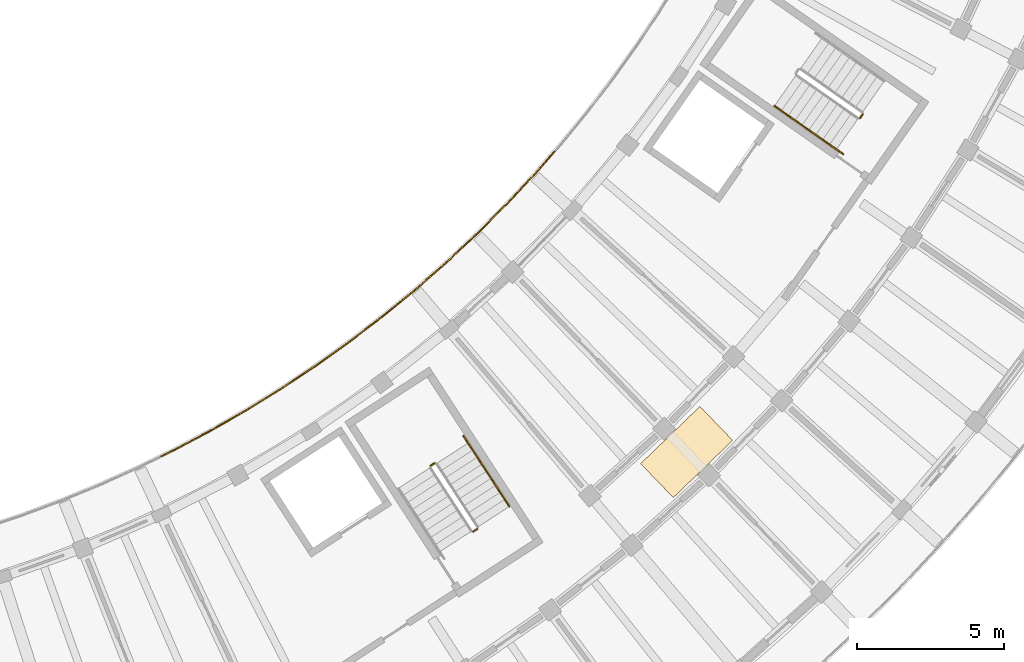
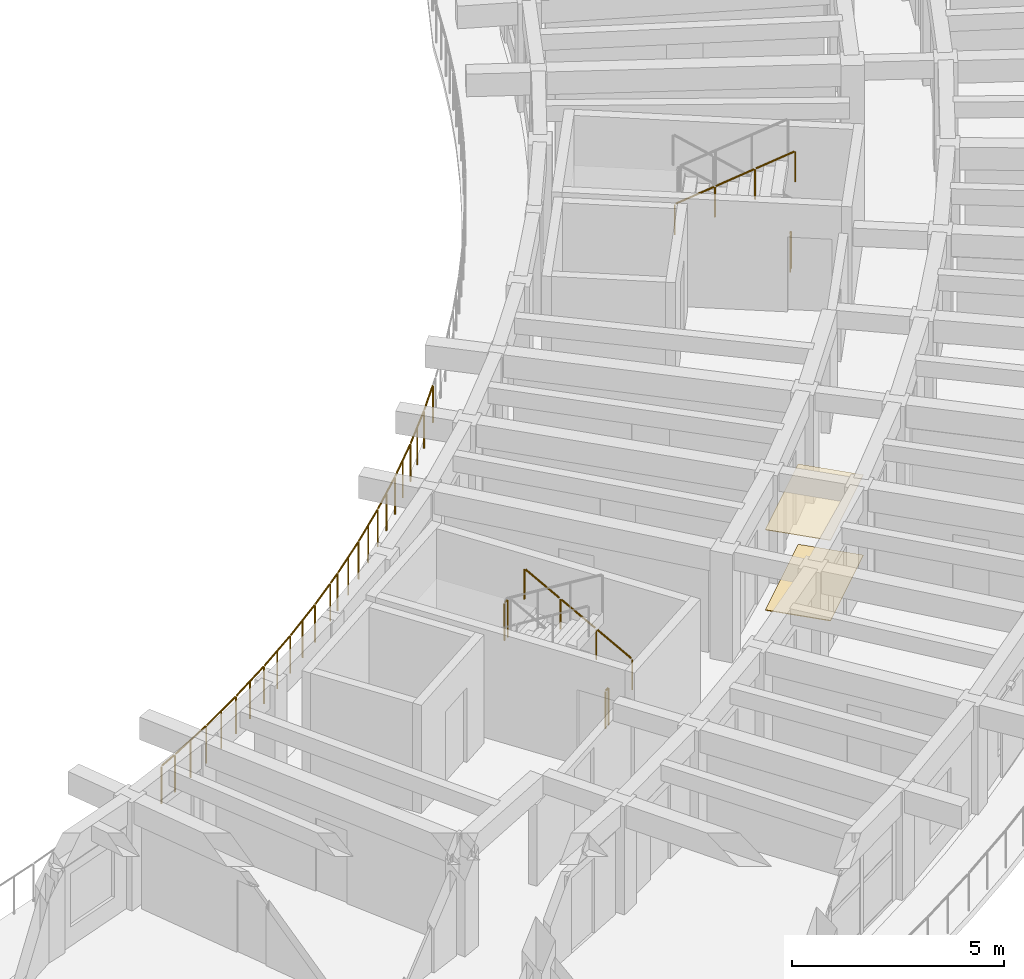
# One storey, part 72 of 78: 11 railings, 2 coverings.
"""IFC4 building model written with IfcOpenShell, lengths in metres."""

from ifc_helpers import new_model, si_unit, direction, frame, origin, origin_2d, place, context, subcontext, project, spatial, rectangle, circle, extrude, material, layer, layer_set, type_object, element, save


model = new_model("IFC4")

# Units and contexts
model_context = context("Model", 3, precision=1e-05, world=origin(), true_north=direction((0.0, 1.0)))
body_context = subcontext(model_context, "Body", "Model", "MODEL_VIEW")
ifc_project = project(units=[si_unit("LENGTHUNIT", "METRE"), si_unit("AREAUNIT", "SQUARE_METRE"), si_unit("VOLUMEUNIT", "CUBIC_METRE"), si_unit("PLANEANGLEUNIT", "RADIAN"), si_unit("MASSUNIT", "GRAM", prefix="KILO")], contexts=[model_context])

# Site, building, storey
site_placement = place(None, origin())
site = spatial("IfcSite", under=ifc_project, at=site_placement, CompositionType="ELEMENT")
building_placement = place(site_placement, origin())
building = spatial("IfcBuilding", under=site, at=building_placement, Name="Tanwirah Colonnade Gardens", CompositionType="ELEMENT")
storey_placement = place(building_placement, frame((0.0, 0.0, 22.280029296875)))
storey = spatial("IfcBuildingStorey", under=building, at=storey_placement, Name="L06", CompositionType="ELEMENT", Elevation=22.280029296875)

# Railings
ifc_material_1 = material(Name="Precast concrete C40/50", Category="concrete")
railing_type_1 = type_object("IfcRailingType", Name="BAL-EXT110", PredefinedType="BALUSTRADE", material=ifc_material_1)
railing_1_placement = place(storey_placement, frame((139.94775390625, 26.2626953125, 0.0)))
element("IfcRailing", 1, at=railing_1_placement, inside=storey, type_object=railing_type_1, Name="Block D L06 Balcony Ribbon Balustrade 2", PredefinedType="BALUSTRADE", context=body_context, shape_type="SweptSolid", body=[
    extrude(circle(Radius=0.02392578125, at=origin_2d()), frame((0.028076171875, 0.013916015625, 1.076171875), z_axis=(0.897327666249, 0.441364995648, 0.0), x_axis=(-0.441364995648, 0.897327666249, 0.0)), (0.0, 0.0, 1.0), 0.506103515625),
    extrude(circle(Radius=0.02392578125, at=origin_2d()), frame((0.540283203125, 0.266845703125, 1.076171875), z_axis=(0.88242081136, 0.470460956593, 0.0), x_axis=(-0.470460956593, 0.88242081136, 0.0)), (0.0, 0.0, 1.0), 1.331298828125),
    extrude(circle(Radius=0.02392578125, at=origin_2d()), frame((1.772216796875, 0.9248046875, 1.076171875), z_axis=(0.866535241782, 0.499115893104, 0.0), x_axis=(-0.499115893104, 0.866535241782, 0.0)), (0.0, 0.0, 1.0), 1.33154296875),
    extrude(circle(Radius=0.02392578125, at=origin_2d()), frame((2.98193359375, 1.622802734375, 1.076171875), z_axis=(0.849764617567, 0.527162303973, 0.0), x_axis=(-0.527162303973, 0.849764617567, 0.0)), (0.0, 0.0, 1.0), 1.33154296875),
    extrude(circle(Radius=0.02392578125, at=origin_2d()), frame((4.168212890625, 2.35986328125, 1.076171875), z_axis=(0.832077237554, 0.554659779274, 0.0), x_axis=(-0.554659779274, 0.832077237554, 0.0)), (0.0, 0.0, 1.0), 1.33154296875),
    extrude(circle(Radius=0.02392578125, at=origin_2d()), frame((5.32958984375, 3.13525390625, 1.076171875), z_axis=(0.813473063063, 0.581602592558, 0.0), x_axis=(-0.581602592558, 0.813473063063, 0.0)), (0.0, 0.0, 1.0), 1.33154296875),
    extrude(circle(Radius=0.02392578125, at=origin_2d()), frame((6.46533203125, 3.948486328125, 1.076171875), z_axis=(0.793947113326, 0.607986826536, 0.0), x_axis=(-0.607986826536, 0.793947113326, 0.0)), (0.0, 0.0, 1.0), 0.8828125),
    extrude(circle(Radius=0.02099609375, at=origin_2d()), origin(), (0.0, 0.0, 1.0), 1.049072265625),
    extrude(circle(Radius=0.02099609375, at=origin_2d()), frame((0.51025390625, 0.2509765625, 0.0)), (0.0, 0.0, 1.0), 1.049072265625),
    extrude(circle(Radius=0.02099609375, at=origin_2d()), frame((1.127685546875, 0.580078125, 0.0)), (0.0, 0.0, 1.0), 1.049072265625),
    extrude(circle(Radius=0.02099609375, at=origin_2d()), frame((1.74267578125, 0.907958984375, 0.0)), (0.0, 0.0, 1.0), 1.049072265625),
    extrude(circle(Radius=0.02099609375, at=origin_2d()), frame((2.34912109375, 1.257080078125, 0.0)), (0.0, 0.0, 1.0), 1.049072265625),
    extrude(circle(Radius=0.02099609375, at=origin_2d()), frame((2.953125, 1.60498046875, 0.0)), (0.0, 0.0, 1.0), 1.049072265625),
    extrude(circle(Radius=0.02099609375, at=origin_2d()), frame((3.547607421875, 1.9736328125, 0.0)), (0.0, 0.0, 1.0), 1.049072265625),
    extrude(circle(Radius=0.02099609375, at=origin_2d()), frame((4.139892578125, 2.341064453125, 0.0)), (0.0, 0.0, 1.0), 1.049072265625),
    extrude(circle(Radius=0.02099609375, at=origin_2d()), frame((4.72216796875, 2.72900390625, 0.0)), (0.0, 0.0, 1.0), 1.049072265625),
    extrude(circle(Radius=0.02099609375, at=origin_2d()), frame((5.302001953125, 3.11572265625, 0.0)), (0.0, 0.0, 1.0), 1.049072265625),
    extrude(circle(Radius=0.02099609375, at=origin_2d()), frame((5.87109375, 3.5224609375, 0.0)), (0.0, 0.0, 1.0), 1.049072265625),
    extrude(circle(Radius=0.02099609375, at=origin_2d()), frame((6.438232421875, 3.927978515625, 0.0)), (0.0, 0.0, 1.0), 1.049072265625),
    extrude(circle(Radius=0.02099609375, at=origin_2d()), frame((7.19091796875, 4.504150390625, 0.0)), (0.0, 0.0, 1.0), 1.049072265625),
])
railing_2_placement = place(storey_placement, frame((147.138671875, 30.766845703125, 0.0)))
element("IfcRailing", 2, at=railing_2_placement, inside=storey, type_object=railing_type_1, Name="Block D L06 Balcony Ribbon Balustrade 3", PredefinedType="BALUSTRADE", context=body_context, shape_type="SweptSolid", body=[
    extrude(circle(Radius=0.02392578125, at=origin_2d()), frame((0.02490234375, 0.01904296875, 1.076171875), z_axis=(0.794017867848, 0.60789441973, 0.0), x_axis=(-0.60789441973, 0.794017867848, 0.0)), (0.0, 0.0, 1.0), 0.385986328125),
    extrude(circle(Radius=0.02392578125, at=origin_2d()), frame((0.382568359375, 0.294189453125, 1.076171875), z_axis=(0.773762182392, 0.633476191424, 0.0), x_axis=(-0.633476191424, 0.773762182392, 0.0)), (0.0, 0.0, 1.0), 1.33154296875),
    extrude(circle(Radius=0.02392578125, at=origin_2d()), frame((1.46240234375, 1.1796875, 1.076171875), z_axis=(0.752565845379, 0.658517006894, 0.0), x_axis=(-0.658517006894, 0.752565845379, 0.0)), (0.0, 0.0, 1.0), 1.33154296875),
    extrude(circle(Radius=0.02392578125, at=origin_2d()), frame((2.512939453125, 2.100341796875, 1.076171875), z_axis=(0.730612417562, 0.682792424756, 0.0), x_axis=(-0.682792424756, 0.730612417562, 0.0)), (0.0, 0.0, 1.0), 1.331298828125),
    extrude(circle(Radius=0.02392578125, at=origin_2d()), frame((3.532470703125, 3.0546875, 1.076171875), z_axis=(0.707894448134, 0.706318235855, 0.0), x_axis=(-0.706318235855, 0.707894448134, 0.0)), (0.0, 0.0, 1.0), 1.33154296875),
    extrude(circle(Radius=0.02392578125, at=origin_2d()), frame((4.520263671875, 4.0419921875, 1.076171875), z_axis=(0.684424509294, 0.729083733928, 0.0), x_axis=(-0.729083733928, 0.684424509294, 0.0)), (0.0, 0.0, 1.0), 1.33154296875),
    extrude(circle(Radius=0.02392578125, at=origin_2d()), frame((5.475341796875, 5.06103515625, 1.076171875), z_axis=(0.660286954939, 0.751013406763, 0.0), x_axis=(-0.751013406763, 0.660286954939, 0.0)), (0.0, 0.0, 1.0), 1.003173828125),
    extrude(circle(Radius=0.02099609375, at=origin_2d()), origin(), (0.0, 0.0, 1.0), 1.049072265625),
    extrude(circle(Radius=0.02099609375, at=origin_2d()), frame((0.356201171875, 0.272705078125, 0.0)), (0.0, 0.0, 1.0), 1.049072265625),
    extrude(circle(Radius=0.02099609375, at=origin_2d()), frame((0.897705078125, 0.7158203125, 0.0)), (0.0, 0.0, 1.0), 1.049072265625),
    extrude(circle(Radius=0.02099609375, at=origin_2d()), frame((1.43701171875, 1.157470703125, 0.0)), (0.0, 0.0, 1.0), 1.049072265625),
    extrude(circle(Radius=0.02099609375, at=origin_2d()), frame((1.96337890625, 1.6181640625, 0.0)), (0.0, 0.0, 1.0), 1.049072265625),
    extrude(circle(Radius=0.02099609375, at=origin_2d()), frame((2.488037109375, 2.0771484375, 0.0)), (0.0, 0.0, 1.0), 1.049072265625),
    extrude(circle(Radius=0.02099609375, at=origin_2d()), frame((2.9990234375, 2.554931640625, 0.0)), (0.0, 0.0, 1.0), 1.049072265625),
    extrude(circle(Radius=0.02099609375, at=origin_2d()), frame((3.50830078125, 3.03076171875, 0.0)), (0.0, 0.0, 1.0), 1.049072265625),
    extrude(circle(Radius=0.02099609375, at=origin_2d()), frame((4.003662109375, 3.52490234375, 0.0)), (0.0, 0.0, 1.0), 1.049072265625),
    extrude(circle(Radius=0.02099609375, at=origin_2d()), frame((4.4970703125, 4.017333984375, 0.0)), (0.0, 0.0, 1.0), 1.049072265625),
    extrude(circle(Radius=0.02099609375, at=origin_2d()), frame((4.975830078125, 4.52734375, 0.0)), (0.0, 0.0, 1.0), 1.049072265625),
    extrude(circle(Radius=0.02099609375, at=origin_2d()), frame((5.452880859375, 5.03564453125, 0.0)), (0.0, 0.0, 1.0), 1.049072265625),
    extrude(circle(Radius=0.02099609375, at=origin_2d()), frame((6.158203125, 5.837890625, 0.0)), (0.0, 0.0, 1.0), 1.049072265625),
])

# Coverings
ifc_material_2 = material(Name="Acoustic perforated gypsum ceiling board")
ifc_layer_1 = layer(ifc_material_2, 0.014892578125)
ifc_layer_set_1 = layer_set([ifc_layer_1], Name="Acoustic perforated gypsum ceiling board")
covering_type_1 = type_object("IfcCoveringType", Name="COV-CEIL15", PredefinedType="CEILING", material=ifc_layer_set_1)
covering_1_placement = place(storey_placement, frame((157.7822265625, 26.410888671875, 2.3125), z_axis=(0.0, 0.0, 1.0), x_axis=(0.719339800339, 0.694658370459, 0.0)))
element("IfcCovering", 3, at=covering_1_placement, inside=storey, type_object=covering_type_1, Name="Block D L06 Corridor Acoustic Ceiling", PredefinedType="CEILING", context=body_context, shape_type="SweptSolid", body=[
    extrude(rectangle(XDim=2.800048828125, YDim=1.60009765625, at=origin_2d()), origin(), (0.0, 0.0, 1.0), 0.014892578125),
])
ifc_material_3 = material(Name="Honed Abu Dhabi limestone terrazzo flooring", Category="masonry")
ifc_layer_2 = layer(ifc_material_3, 0.02001953125)
ifc_layer_set_2 = layer_set([ifc_layer_2], Name="Honed Abu Dhabi limestone terrazzo flooring")
covering_type_2 = type_object("IfcCoveringType", Name="COV-FLR20", PredefinedType="FLOORING", material=ifc_layer_set_2)
covering_2_placement = place(storey_placement, frame((157.7822265625, 26.410888671875, 0.0), z_axis=(0.0, 0.0, 1.0), x_axis=(0.719339800339, 0.694658370459, 0.0)))
element("IfcCovering", 4, at=covering_2_placement, inside=storey, type_object=covering_type_2, Name="Block D L06 Corridor Terrazzo Flooring", PredefinedType="FLOORING", context=body_context, shape_type="SweptSolid", body=[
    extrude(rectangle(XDim=2.800048828125, YDim=1.60009765625, at=origin_2d()), origin(), (0.0, 0.0, 1.0), 0.02001953125),
])

# Railings
ifc_material_4 = material(Name="Powder-coated galvanized steel", Category="steel")
railing_type_2 = type_object("IfcRailingType", Name="GRD-ST110", PredefinedType="GUARDRAIL", material=ifc_material_4)
for number, where, name in (
    (5, (149.22509765625, 26.03125, 1.679931640625), "L06 ST-D1 stair guard 2"),
    (6, (150.676513671875, 23.79638671875, 0.0), "L06 ST-D1 stair guard 4"),
):
    element("IfcRailing", number, at=place(storey_placement, frame(where)), inside=storey, type_object=railing_type_2, Name=name, PredefinedType="GUARDRAIL", context=body_context, shape_type="SweptSolid", body=[
        extrude(circle(Radius=0.02392578125, at=origin_2d()), frame((-0.026123046875, -0.01708984375, 1.076171875), z_axis=(-0.838791880614, -0.544452184326, 0.0), x_axis=(0.544452184326, -0.838791880614, 0.0)), (0.0, 0.0, 1.0), 0.09765625),
        extrude(circle(Radius=0.02099609375, at=origin_2d()), origin(), (0.0, 0.0, 1.0), 1.049072265625),
        extrude(circle(Radius=0.02099609375, at=origin_2d()), frame((-0.13427734375, -0.087158203125, 0.0)), (0.0, 0.0, 1.0), 1.049072265625),
    ])
railing_3_placement = place(storey_placement, frame((163.763427734375, 37.877197265625, 0.0)))
element("IfcRailing", 7, at=railing_3_placement, inside=storey, type_object=railing_type_2, Name="L06 ST-D2 stair guard 4", PredefinedType="GUARDRAIL", context=body_context, shape_type="SweptSolid", body=[
    extrude(circle(Radius=0.02392578125, at=origin_2d()), frame((-0.017822265625, -0.025634765625, 1.076171875), z_axis=(-0.57356471828, -0.819160249246, 0.0), x_axis=(0.819160249246, -0.57356471828, 0.0)), (0.0, 0.0, 1.0), 0.097412109375),
    extrude(circle(Radius=0.02099609375, at=origin_2d()), origin(), (0.0, 0.0, 1.0), 1.049072265625),
    extrude(circle(Radius=0.02099609375, at=origin_2d()), frame((-0.091796875, -0.131103515625, 0.0)), (0.0, 0.0, 1.0), 1.049072265625),
])
ifc_material_5 = material(Name="Brushed bronze stainless steel", Category="steel")
railing_type_3 = type_object("IfcRailingType", Name="HR-ST090", PredefinedType="HANDRAIL", material=ifc_material_5)
railing_4_placement = place(storey_placement, frame((151.7646484375, 24.5625, 0.16796875)))
element("IfcRailing", 8, at=railing_4_placement, inside=storey, type_object=railing_type_3, Name="L06 ST-D1 stair handrail 1", PredefinedType="HANDRAIL", context=body_context, shape_type="SweptSolid", body=[
    extrude(circle(Radius=0.02392578125, at=origin_2d()), frame((-0.0146484375, 0.0224609375, 0.891845703125), z_axis=(-0.467815092293, 0.720598613141, 0.511748647445), x_axis=(-0.838748777278, -0.544518584269, 0.0)), (0.0, 0.0, 1.0), 1.043212890625),
    extrude(circle(Radius=0.02099609375, at=origin_2d()), origin(), (0.0, 0.0, 1.0), 0.848876953125),
    extrude(circle(Radius=0.02099609375, at=origin_2d()), frame((-0.517333984375, 0.796875, 0.56591796875)), (0.0, 0.0, 1.0), 0.848876953125),
])
railing_5_placement = place(storey_placement, frame((151.247314453125, 25.359375, 0.73388671875)))
element("IfcRailing", 9, at=railing_5_placement, inside=storey, type_object=railing_type_3, Name="L06 ST-D1 stair handrail 2", PredefinedType="HANDRAIL", context=body_context, shape_type="SweptSolid", body=[
    extrude(circle(Radius=0.02392578125, at=origin_2d()), frame((-0.0146484375, 0.0224609375, 0.891845703125), z_axis=(-0.467836641068, 0.720411023977, 0.511993001717), x_axis=(-0.838672561027, -0.544635965926, 0.0)), (0.0, 0.0, 1.0), 1.043212890625),
    extrude(circle(Radius=0.02099609375, at=origin_2d()), origin(), (0.0, 0.0, 1.0), 0.848876953125),
    extrude(circle(Radius=0.02099609375, at=origin_2d()), frame((-0.517333984375, 0.796630859375, 0.566162109375)), (0.0, 0.0, 1.0), 0.848876953125),
])
railing_6_placement = place(storey_placement, frame((150.72998046875, 26.156005859375, 1.300048828125)))
element("IfcRailing", 10, at=railing_6_placement, inside=storey, type_object=railing_type_3, Name="L06 ST-D1 stair handrail 3", PredefinedType="HANDRAIL", context=body_context, shape_type="SweptSolid", body=[
    extrude(circle(Radius=0.02392578125, at=origin_2d()), frame((-0.0146484375, 0.0224609375, 0.891845703125), z_axis=(-0.467987521127, 0.720524183471, 0.511695789609), x_axis=(-0.838631412534, -0.544699324317, 0.0)), (0.0, 0.0, 1.0), 1.04345703125),
    extrude(circle(Radius=0.02099609375, at=origin_2d()), origin(), (0.0, 0.0, 1.0), 0.848876953125),
    extrude(circle(Radius=0.02099609375, at=origin_2d()), frame((-0.517578125, 0.796875, 0.56591796875)), (0.0, 0.0, 1.0), 0.848876953125),
])
railing_7_placement = place(storey_placement, frame((160.766845703125, 38.156494140625, 1.847900390625)))
element("IfcRailing", 11, at=railing_7_placement, inside=storey, type_object=railing_type_3, Name="L06 ST-D2 stair handrail 4", PredefinedType="HANDRAIL", context=body_context, shape_type="SweptSolid", body=[
    extrude(circle(Radius=0.02392578125, at=origin_2d()), frame((0.02197265625, -0.015380859375, 0.891845703125), z_axis=(0.703606519106, -0.492767414699, 0.511974746723), x_axis=(0.57365206981, 0.819099079967, 0.0)), (0.0, 0.0, 1.0), 1.043212890625),
    extrude(circle(Radius=0.02099609375, at=origin_2d()), origin(), (0.0, 0.0, 1.0), 0.848876953125),
    extrude(circle(Radius=0.02099609375, at=origin_2d()), frame((0.778076171875, -0.544921875, 0.566162109375)), (0.0, 0.0, 1.0), 0.848876953125),
])
railing_8_placement = place(storey_placement, frame((161.544921875, 37.611572265625, 2.4140625)))
element("IfcRailing", 12, at=railing_8_placement, inside=storey, type_object=railing_type_3, Name="L06 ST-D2 stair handrail 5", PredefinedType="HANDRAIL", context=body_context, shape_type="SweptSolid", body=[
    extrude(circle(Radius=0.02392578125, at=origin_2d()), frame((0.02197265625, -0.015380859375, 0.891845703125), z_axis=(0.703797483594, -0.492746544348, 0.511732298297), x_axis=(0.573531324472, 0.819183630115, 0.0)), (0.0, 0.0, 1.0), 1.04345703125),
    extrude(circle(Radius=0.02099609375, at=origin_2d()), origin(), (0.0, 0.0, 1.0), 0.848876953125),
    extrude(circle(Radius=0.02099609375, at=origin_2d()), frame((0.7783203125, -0.544921875, 0.56591796875)), (0.0, 0.0, 1.0), 0.848876953125),
])
railing_9_placement = place(storey_placement, frame((162.3232421875, 37.066650390625, 2.97998046875)))
element("IfcRailing", 13, at=railing_9_placement, inside=storey, type_object=railing_type_3, Name="L06 ST-D2 stair handrail 6", PredefinedType="HANDRAIL", context=body_context, shape_type="SweptSolid", body=[
    extrude(circle(Radius=0.02392578125, at=origin_2d()), frame((0.02197265625, -0.015380859375, 0.891845703125), z_axis=(0.703762611354, -0.492655910239, 0.511867503332), x_axis=(0.573479595945, 0.819219844141, 0.0)), (0.0, 0.0, 1.0), 1.04296875),
    extrude(circle(Radius=0.02099609375, at=origin_2d()), origin(), (0.0, 0.0, 1.0), 0.848876953125),
    extrude(circle(Radius=0.02099609375, at=origin_2d()), frame((0.778076171875, -0.544677734375, 0.56591796875)), (0.0, 0.0, 1.0), 0.848876953125),
])

save(model, "model.ifc")
